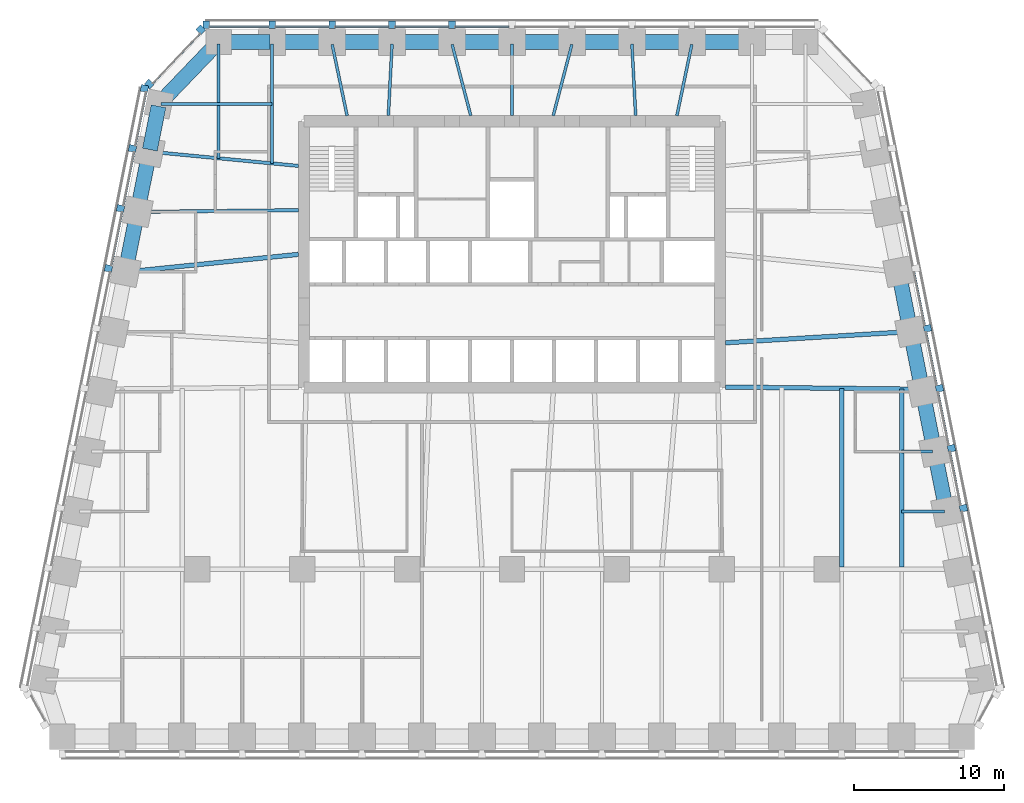
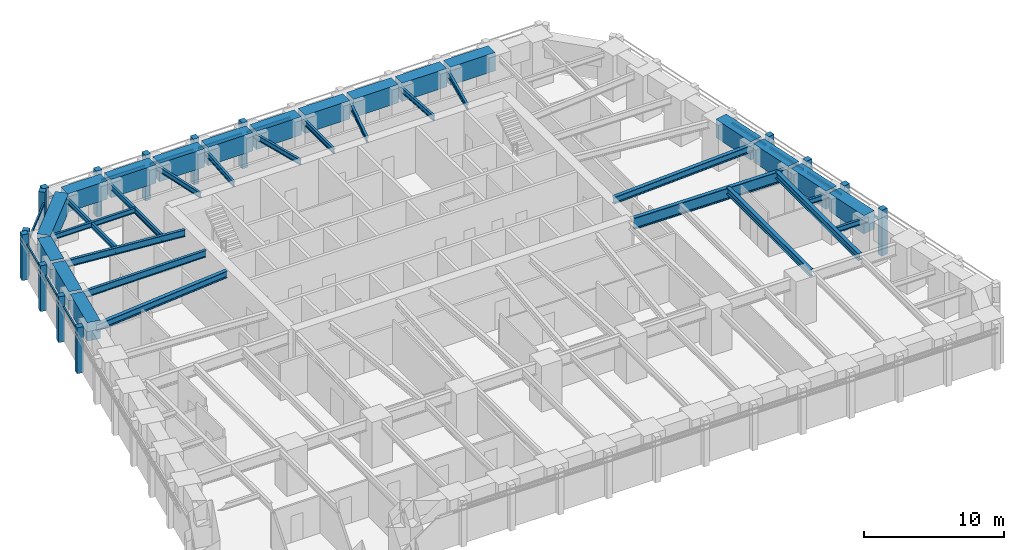
# One storey, part 3 of 10: 36 beams, 28 members, 4 elements without a shape of their own.
"""IFC4 building model written with IfcOpenShell, lengths in metres."""

from ifc_helpers import new_model, si_unit, direction, frame, origin, origin_2d, place, context, subcontext, project, spatial, rectangle, i_section, extrude, material, material_profile, profile_set, type_object, element, aggregate, save


model = new_model("IFC4")

# Units and contexts
model_context = context("Model", 3, precision=1e-05, world=origin(), true_north=direction((0.0, 1.0)))
body_context = subcontext(model_context, "Body", "Model", "MODEL_VIEW")
ifc_project = project(units=[si_unit("LENGTHUNIT", "METRE"), si_unit("AREAUNIT", "SQUARE_METRE"), si_unit("VOLUMEUNIT", "CUBIC_METRE"), si_unit("PLANEANGLEUNIT", "RADIAN"), si_unit("MASSUNIT", "GRAM", prefix="KILO")], contexts=[model_context])

# Site, building, storey
site_placement = place(None, origin())
site = spatial("IfcSite", under=ifc_project, at=site_placement, CompositionType="ELEMENT")
building_placement = place(site_placement, origin())
building = spatial("IfcBuilding", under=site, at=building_placement, Name="Isbrekke Arena Tower", CompositionType="ELEMENT")
storey_placement = place(building_placement, frame((0.0, 0.0, 107.0)))
storey = spatial("IfcBuildingStorey", under=building, at=storey_placement, Name="L23", CompositionType="ELEMENT", Elevation=107.0)

# Beams
ifc_material_1 = material(Name="Steel S355", Category="steel")
ifc_material_profile_1 = material_profile(ifc_material_1, i_section(OverallWidth=0.219970703125, OverallDepth=0.60009765625, WebThickness=0.011962890625, FlangeThickness=0.01904296875, FilletRadius=0.02392578125, at=origin_2d()), Name="IPE 600")
ifc_profile_set_1 = profile_set([ifc_material_profile_1], Name="Steel S355")
beam_type_1 = type_object("IfcBeamType", Name="B1 IPE 600", PredefinedType="BEAM", material=ifc_profile_set_1)
beam_1_placement = place(storey_placement, frame((-24.030517578125, 21.837158203125, 3.550048828125), z_axis=(0.995439798606, -0.095391862082, 0.0), x_axis=(0.095391862082, 0.995439798606, 0.0)))
element("IfcBeam", 1, at=beam_1_placement, inside=storey, type_object=beam_type_1, Name="B1 beam E-W02 L23", PredefinedType="BEAM", context=body_context, shape_type="SweptSolid", body=[
    extrude(i_section(OverallWidth=0.219970703125, OverallDepth=0.60009765625, WebThickness=0.011962890625, FlangeThickness=0.01904296875, FilletRadius=0.02392578125, at=origin_2d()), origin(), (0.0, 0.0, 1.0), 9.825439453125),
])
beam_2_placement = place(storey_placement, frame((-24.83984375, 17.838134765625, 3.550048828125), z_axis=(0.999944260169, 0.010558245831, 0.0), x_axis=(-0.010558245831, 0.999944260169, 0.0)))
element("IfcBeam", 2, at=beam_2_placement, inside=storey, type_object=beam_type_1, Name="B1 beam E-W03 L23", PredefinedType="BEAM", context=body_context, shape_type="SweptSolid", body=[
    extrude(i_section(OverallWidth=0.219970703125, OverallDepth=0.60009765625, WebThickness=0.011962890625, FlangeThickness=0.01904296875, FilletRadius=0.02392578125, at=origin_2d()), origin(), (0.0, 0.0, 1.0), 10.59033203125),
])
ifc_material_2 = material(Name="Steel S355", Category="steel")
ifc_material_profile_2 = material_profile(ifc_material_2, i_section(OverallWidth=0.18994140625, OverallDepth=0.449951171875, WebThickness=0.009521484375, FlangeThickness=0.0146484375, FilletRadius=0.02099609375, at=origin_2d()), Name="IPE 450")
ifc_profile_set_2 = profile_set([ifc_material_profile_2], Name="Steel S355")
beam_type_2 = type_object("IfcBeamType", Name="B2 IPE 450", PredefinedType="BEAM", material=ifc_profile_set_2)
beam_3_placement = place(storey_placement, frame((28.841064453125, -2.161865234375, 3.625), z_axis=(-1.0, 0.0, 0.0), x_axis=(0.0, -1.0, 0.0)))
element("IfcBeam", 3, at=beam_3_placement, inside=storey, type_object=beam_type_2, Name="B2 beam E-E04 L23", PredefinedType="BEAM", context=body_context, shape_type="SweptSolid", body=[
    extrude(i_section(OverallWidth=0.18994140625, OverallDepth=0.449951171875, WebThickness=0.009521484375, FlangeThickness=0.0146484375, FilletRadius=0.02099609375, at=origin_2d()), origin(), (0.0, 0.0, 1.0), 2.841064453125),
])
beam_4_placement = place(storey_placement, frame((28.041015625, 1.838134765625, 3.625), z_axis=(-1.0, 0.0, 0.0), x_axis=(0.0, -1.0, 0.0)))
element("IfcBeam", 4, at=beam_4_placement, inside=storey, type_object=beam_type_2, Name="B2 beam E-E05 L23", PredefinedType="BEAM", context=body_context, shape_type="SweptSolid", body=[
    extrude(i_section(OverallWidth=0.18994140625, OverallDepth=0.449951171875, WebThickness=0.009521484375, FlangeThickness=0.0146484375, FilletRadius=0.02099609375, at=origin_2d()), origin(), (0.0, 0.0, 1.0), 2.041015625),
])
beam_5_placement = place(storey_placement, frame((-23.40283203125, 25.029296875, 3.625), z_axis=(1.0, 0.0, 0.0), x_axis=(0.0, 1.0, 0.0)))
element("IfcBeam", 5, at=beam_5_placement, inside=storey, type_object=beam_type_2, Name="B2 beam E-W01 L23", PredefinedType="BEAM", context=body_context, shape_type="SweptSolid", body=[
    extrude(i_section(OverallWidth=0.18994140625, OverallDepth=0.449951171875, WebThickness=0.009521484375, FlangeThickness=0.0146484375, FilletRadius=0.02099609375, at=origin_2d()), origin(), (0.0, 0.0, 1.0), 7.40283203125),
])
ifc_material_3 = material(Name="Steel S355", Category="steel")
ifc_material_profile_3 = material_profile(ifc_material_3, i_section(OverallWidth=0.18994140625, OverallDepth=0.449951171875, WebThickness=0.009521484375, FlangeThickness=0.0146484375, FilletRadius=0.02099609375, at=origin_2d()), Name="IPE 450")
ifc_profile_set_3 = profile_set([ifc_material_profile_3], Name="Steel S355")
beam_type_3 = type_object("IfcBeamType", Name="B3 IPE 450", PredefinedType="BEAM", material=ifc_profile_set_3)
beam_6_placement = place(storey_placement, frame((-16.0, 29.02490234375, 3.625), z_axis=(0.0, -1.0, 0.0), x_axis=(1.0, 0.0, 0.0)))
element("IfcBeam", 6, at=beam_6_placement, inside=storey, type_object=beam_type_3, Name="B3 beam N-N10 L23", PredefinedType="BEAM", context=body_context, shape_type="SweptSolid", body=[
    extrude(i_section(OverallWidth=0.18994140625, OverallDepth=0.449951171875, WebThickness=0.009521484375, FlangeThickness=0.0146484375, FilletRadius=0.02099609375, at=origin_2d()), origin(), (0.0, 0.0, 1.0), 7.957275390625),
])
beam_7_placement = place(storey_placement, frame((-19.574951171875, 29.02490234375, 3.625), z_axis=(0.0, -1.0, 0.0), x_axis=(1.0, 0.0, 0.0)))
element("IfcBeam", 7, at=beam_7_placement, inside=storey, type_object=beam_type_3, Name="B3 beam N-N11 L23", PredefinedType="BEAM", context=body_context, shape_type="SweptSolid", body=[
    extrude(i_section(OverallWidth=0.18994140625, OverallDepth=0.449951171875, WebThickness=0.009521484375, FlangeThickness=0.0146484375, FilletRadius=0.02099609375, at=origin_2d()), origin(), (0.0, 0.0, 1.0), 7.61474609375),
])
beam_8_placement = place(storey_placement, frame((11.99609375, 29.005859375, 3.625), z_axis=(-0.20499748459, -0.978762499952, 0.0), x_axis=(0.978762499952, -0.20499748459, 0.0)))
element("IfcBeam", 8, at=beam_8_placement, inside=storey, type_object=beam_type_3, Name="B3 beam N-N03 L23", PredefinedType="BEAM", context=body_context, shape_type="SweptSolid", body=[
    extrude(i_section(OverallWidth=0.18994140625, OverallDepth=0.449951171875, WebThickness=0.009521484375, FlangeThickness=0.0146484375, FilletRadius=0.02099609375, at=origin_2d()), origin(), (0.0, 0.0, 1.0), 4.859130859375),
])
beam_9_placement = place(storey_placement, frame((8.000244140625, 29.02001953125, 3.625), z_axis=(0.052287879538, -0.998632053187, 0.0), x_axis=(0.998632053187, 0.052287879538, 0.0)))
element("IfcBeam", 9, at=beam_9_placement, inside=storey, type_object=beam_type_3, Name="B3 beam N-N04 L23", PredefinedType="BEAM", context=body_context, shape_type="SweptSolid", body=[
    extrude(i_section(OverallWidth=0.18994140625, OverallDepth=0.449951171875, WebThickness=0.009521484375, FlangeThickness=0.0146484375, FilletRadius=0.02099609375, at=origin_2d()), origin(), (0.0, 0.0, 1.0), 4.776611328125),
])
beam_10_placement = place(storey_placement, frame((3.993896484375, 29.001708984375, 3.625), z_axis=(-0.253245319824, -0.967402092197, 0.0), x_axis=(0.967402092197, -0.253245319824, 0.0)))
element("IfcBeam", 10, at=beam_10_placement, inside=storey, type_object=beam_type_3, Name="B3 beam N-N05 L23", PredefinedType="BEAM", context=body_context, shape_type="SweptSolid", body=[
    extrude(i_section(OverallWidth=0.18994140625, OverallDepth=0.449951171875, WebThickness=0.009521484375, FlangeThickness=0.0146484375, FilletRadius=0.02099609375, at=origin_2d()), origin(), (0.0, 0.0, 1.0), 4.911865234375),
])
beam_11_placement = place(storey_placement, frame((0.0, 29.02490234375, 3.625), z_axis=(0.0, -1.0, 0.0), x_axis=(1.0, 0.0, 0.0)))
element("IfcBeam", 11, at=beam_11_placement, inside=storey, type_object=beam_type_3, Name="B3 beam N-N06 L23", PredefinedType="BEAM", context=body_context, shape_type="SweptSolid", body=[
    extrude(i_section(OverallWidth=0.18994140625, OverallDepth=0.449951171875, WebThickness=0.009521484375, FlangeThickness=0.0146484375, FilletRadius=0.02099609375, at=origin_2d()), origin(), (0.0, 0.0, 1.0), 4.77490234375),
])
beam_12_placement = place(storey_placement, frame((-3.993896484375, 29.001708984375, 3.625), z_axis=(0.253245319824, -0.967402092197, 0.0), x_axis=(0.967402092197, 0.253245319824, 0.0)))
element("IfcBeam", 12, at=beam_12_placement, inside=storey, type_object=beam_type_3, Name="B3 beam N-N07 L23", PredefinedType="BEAM", context=body_context, shape_type="SweptSolid", body=[
    extrude(i_section(OverallWidth=0.18994140625, OverallDepth=0.449951171875, WebThickness=0.009521484375, FlangeThickness=0.0146484375, FilletRadius=0.02099609375, at=origin_2d()), origin(), (0.0, 0.0, 1.0), 4.911865234375),
])
beam_13_placement = place(storey_placement, frame((-8.000244140625, 29.02001953125, 3.625), z_axis=(-0.052287879538, -0.998632053187, 0.0), x_axis=(0.998632053187, -0.052287879538, 0.0)))
element("IfcBeam", 13, at=beam_13_placement, inside=storey, type_object=beam_type_3, Name="B3 beam N-N08 L23", PredefinedType="BEAM", context=body_context, shape_type="SweptSolid", body=[
    extrude(i_section(OverallWidth=0.18994140625, OverallDepth=0.449951171875, WebThickness=0.009521484375, FlangeThickness=0.0146484375, FilletRadius=0.02099609375, at=origin_2d()), origin(), (0.0, 0.0, 1.0), 4.776611328125),
])
beam_14_placement = place(storey_placement, frame((-11.99609375, 29.005859375, 3.625), z_axis=(0.20499748459, -0.978762499952, 0.0), x_axis=(0.978762499952, 0.20499748459, 0.0)))
element("IfcBeam", 14, at=beam_14_placement, inside=storey, type_object=beam_type_3, Name="B3 beam N-N09 L23", PredefinedType="BEAM", context=body_context, shape_type="SweptSolid", body=[
    extrude(i_section(OverallWidth=0.18994140625, OverallDepth=0.449951171875, WebThickness=0.009521484375, FlangeThickness=0.0146484375, FilletRadius=0.02099609375, at=origin_2d()), origin(), (0.0, 0.0, 1.0), 4.859130859375),
])
ifc_material_4 = material(Name="Steel S355", Category="steel")
ifc_material_profile_4 = material_profile(ifc_material_4, i_section(OverallWidth=0.300048828125, OverallDepth=0.60009765625, WebThickness=0.015380859375, FlangeThickness=0.030029296875, FilletRadius=0.027099609375, at=origin_2d()), Name="HEB 600")
ifc_profile_set_4 = profile_set([ifc_material_profile_4], Name="Steel S355")
beam_type_4 = type_object("IfcBeamType", Name="B7 HEB 600", PredefinedType="BEAM", material=ifc_profile_set_4)
beam_15_placement = place(storey_placement, frame((22.0, -5.84912109375, 3.550048828125), z_axis=(0.0, 1.0, 0.0), x_axis=(-1.0, 0.0, 0.0)))
element("IfcBeam", 15, at=beam_15_placement, inside=storey, type_object=beam_type_4, Name="B7 beam C-M13 L23", PredefinedType="BEAM", context=body_context, shape_type="SweptSolid", body=[
    extrude(i_section(OverallWidth=0.300048828125, OverallDepth=0.60009765625, WebThickness=0.015380859375, FlangeThickness=0.030029296875, FilletRadius=0.027099609375, at=origin_2d()), origin(), (0.0, 0.0, 1.0), 11.91064453125),
])
beam_16_placement = place(storey_placement, frame((26.0, -5.84912109375, 3.550048828125), z_axis=(0.0, 1.0, 0.0), x_axis=(-1.0, 0.0, 0.0)))
element("IfcBeam", 16, at=beam_16_placement, inside=storey, type_object=beam_type_4, Name="B7 beam C-M14 L23", PredefinedType="BEAM", context=body_context, shape_type="SweptSolid", body=[
    extrude(i_section(OverallWidth=0.300048828125, OverallDepth=0.60009765625, WebThickness=0.015380859375, FlangeThickness=0.030029296875, FilletRadius=0.027099609375, at=origin_2d()), origin(), (0.0, 0.0, 1.0), 11.864990234375),
])
beam_17_placement = place(storey_placement, frame((26.431884765625, 9.837646484375, 3.550048828125), z_axis=(-0.998172191876, -0.060434057993, 0.0), x_axis=(0.060434057993, -0.998172191876, 0.0)))
element("IfcBeam", 17, at=beam_17_placement, inside=storey, type_object=beam_type_4, Name="B7 beam E-E07 L23", PredefinedType="BEAM", context=body_context, shape_type="SweptSolid", body=[
    extrude(i_section(OverallWidth=0.300048828125, OverallDepth=0.60009765625, WebThickness=0.015380859375, FlangeThickness=0.030029296875, FilletRadius=0.027099609375, at=origin_2d()), origin(), (0.0, 0.0, 1.0), 12.2041015625),
])
beam_18_placement = place(storey_placement, frame((-25.6259765625, 13.83984375, 3.550048828125), z_axis=(0.994839949319, 0.10145676537, 0.0), x_axis=(-0.10145676537, 0.994839949319, 0.0)))
element("IfcBeam", 18, at=beam_18_placement, inside=storey, type_object=beam_type_4, Name="B7 beam E-W04 L23", PredefinedType="BEAM", context=body_context, shape_type="SweptSolid", body=[
    extrude(i_section(OverallWidth=0.300048828125, OverallDepth=0.60009765625, WebThickness=0.015380859375, FlangeThickness=0.030029296875, FilletRadius=0.027099609375, at=origin_2d()), origin(), (0.0, 0.0, 1.0), 11.43505859375),
])

# Curtain wall, members
ifc_material_5 = material(Name="Glazed aluminium curtain wall", Category="aluminium")
curtain_wall_type = type_object("IfcCurtainWallType", Name="CWM TOWER CURTAIN WALL MID ZONE", PredefinedType="USERDEFINED", material=ifc_material_5)
curtain_wall_1_placement = place(storey_placement, origin())
curtain_wall_1 = element("IfcCurtainWall", 19, at=curtain_wall_1_placement, inside=storey, type_object=curtain_wall_type, Name="CWM curtain wall L23-E", ObjectType="TOWER CURTAIN WALL MID ZONE", PredefinedType="USERDEFINED")
ifc_material_6 = material(Name="Aluminium mullion, pale brick slip cladding", Category="masonry")
ifc_material_profile_5 = material_profile(ifc_material_6, rectangle(XDim=0.449951171875, YDim=0.5, at=origin_2d()), Name="PIER 450X500")
ifc_profile_set_5 = profile_set([ifc_material_profile_5], Name="Aluminium mullion, pale brick slip cladding")
member_type_1 = type_object("IfcMemberType", Name="CWM-M PIER MULLION 450 x 500", PredefinedType="MULLION", material=ifc_profile_set_5)
member_1_placement = place(storey_placement, frame((30.11865234375, -1.936279296875, 0.0), z_axis=(0.0, 0.0, 1.0), x_axis=(-0.196116135138, 0.980580675691, 0.0)))
member_1 = element("IfcMember", 20, at=member_1_placement, type_object=member_type_1, Name="CWM-M mullion 4", PredefinedType="MULLION", context=body_context, shape_type="SweptSolid", body=[
    extrude(rectangle(XDim=0.449951171875, YDim=0.5, at=origin_2d()), origin(), (0.0, 0.0, 1.0), 4.0),
])
member_2_placement = place(storey_placement, frame((29.318603515625, 2.063720703125, 0.0), z_axis=(0.0, 0.0, 1.0), x_axis=(-0.196116135138, 0.980580675691, 0.0)))
member_2 = element("IfcMember", 21, at=member_2_placement, type_object=member_type_1, Name="CWM-M mullion 5", PredefinedType="MULLION", context=body_context, shape_type="SweptSolid", body=[
    extrude(rectangle(XDim=0.449951171875, YDim=0.5, at=origin_2d()), origin(), (0.0, 0.0, 1.0), 4.0),
])
member_3_placement = place(storey_placement, frame((28.518798828125, 6.063720703125, 0.0), z_axis=(0.0, 0.0, 1.0), x_axis=(-0.196116135138, 0.980580675691, 0.0)))
member_3 = element("IfcMember", 22, at=member_3_placement, type_object=member_type_1, Name="CWM-M mullion 6", PredefinedType="MULLION", context=body_context, shape_type="SweptSolid", body=[
    extrude(rectangle(XDim=0.449951171875, YDim=0.5, at=origin_2d()), origin(), (0.0, 0.0, 1.0), 4.0),
])
member_4_placement = place(storey_placement, frame((27.71875, 10.063720703125, 0.0), z_axis=(0.0, 0.0, 1.0), x_axis=(-0.196116135138, 0.980580675691, 0.0)))
member_4 = element("IfcMember", 23, at=member_4_placement, type_object=member_type_1, Name="CWM-M mullion 7", PredefinedType="MULLION", context=body_context, shape_type="SweptSolid", body=[
    extrude(rectangle(XDim=0.449951171875, YDim=0.5, at=origin_2d()), origin(), (0.0, 0.0, 1.0), 4.0),
])

curtain_wall_2_placement = place(storey_placement, origin())
curtain_wall_2 = element("IfcCurtainWall", 24, at=curtain_wall_2_placement, inside=storey, type_object=curtain_wall_type, Name="CWM curtain wall L23-N", ObjectType="TOWER CURTAIN WALL MID ZONE", PredefinedType="USERDEFINED")
member_5_placement = place(storey_placement, frame((-4.0, 30.324951171875, 0.0), z_axis=(0.0, 0.0, 1.0), x_axis=(-1.0, 0.0, 0.0)))
member_5 = element("IfcMember", 25, at=member_5_placement, type_object=member_type_1, Name="CWM-M mullion 7", PredefinedType="MULLION", context=body_context, shape_type="SweptSolid", body=[
    extrude(rectangle(XDim=0.449951171875, YDim=0.5, at=origin_2d()), origin(), (0.0, 0.0, 1.0), 4.0),
])
member_6_placement = place(storey_placement, frame((-8.0, 30.324951171875, 0.0), z_axis=(0.0, 0.0, 1.0), x_axis=(-1.0, 0.0, 0.0)))
member_6 = element("IfcMember", 26, at=member_6_placement, type_object=member_type_1, Name="CWM-M mullion 8", PredefinedType="MULLION", context=body_context, shape_type="SweptSolid", body=[
    extrude(rectangle(XDim=0.449951171875, YDim=0.5, at=origin_2d()), origin(), (0.0, 0.0, 1.0), 4.0),
])
member_7_placement = place(storey_placement, frame((-12.0, 30.324951171875, 0.0), z_axis=(0.0, 0.0, 1.0), x_axis=(-1.0, 0.0, 0.0)))
member_7 = element("IfcMember", 27, at=member_7_placement, type_object=member_type_1, Name="CWM-M mullion 9", PredefinedType="MULLION", context=body_context, shape_type="SweptSolid", body=[
    extrude(rectangle(XDim=0.449951171875, YDim=0.5, at=origin_2d()), origin(), (0.0, 0.0, 1.0), 4.0),
])
member_8_placement = place(storey_placement, frame((-16.0, 30.324951171875, 0.0), z_axis=(0.0, 0.0, 1.0), x_axis=(-1.0, 0.0, 0.0)))
member_8 = element("IfcMember", 28, at=member_8_placement, type_object=member_type_1, Name="CWM-M mullion 10", PredefinedType="MULLION", context=body_context, shape_type="SweptSolid", body=[
    extrude(rectangle(XDim=0.449951171875, YDim=0.5, at=origin_2d()), origin(), (0.0, 0.0, 1.0), 4.0),
])
member_9_placement = place(storey_placement, frame((-20.39990234375, 30.324951171875, 0.0), z_axis=(0.0, 0.0, 1.0), x_axis=(-1.0, 0.0, 0.0)))
member_9 = element("IfcMember", 29, at=member_9_placement, type_object=member_type_1, Name="CWM-M mullion 11", PredefinedType="MULLION", context=body_context, shape_type="SweptSolid", body=[
    extrude(rectangle(XDim=0.449951171875, YDim=0.5, at=origin_2d()), origin(), (0.0, 0.0, 1.0), 4.0),
])

curtain_wall_3_placement = place(storey_placement, origin())
curtain_wall_3 = element("IfcCurtainWall", 30, at=curtain_wall_3_placement, inside=storey, type_object=curtain_wall_type, Name="CWM curtain wall L23-NW", ObjectType="TOWER CURTAIN WALL MID ZONE", PredefinedType="USERDEFINED")
member_10_placement = place(storey_placement, frame((-20.759033203125, 29.985107421875, 0.0), z_axis=(0.0, 0.0, 1.0), x_axis=(-0.68874946192, -0.72499943359, 0.0)))
member_10 = element("IfcMember", 31, at=member_10_placement, type_object=member_type_1, Name="CWM-M mullion 1", PredefinedType="MULLION", context=body_context, shape_type="SweptSolid", body=[
    extrude(rectangle(XDim=0.449951171875, YDim=0.5, at=origin_2d()), origin(), (0.0, 0.0, 1.0), 4.0),
])
member_11_placement = place(storey_placement, frame((-24.207763671875, 26.35498046875, 0.0), z_axis=(0.0, 0.0, 1.0), x_axis=(-0.68874946192, -0.72499943359, 0.0)))
member_11 = element("IfcMember", 32, at=member_11_placement, type_object=member_type_1, Name="CWM-M mullion 2", PredefinedType="MULLION", context=body_context, shape_type="SweptSolid", body=[
    extrude(rectangle(XDim=0.449951171875, YDim=0.5, at=origin_2d()), origin(), (0.0, 0.0, 1.0), 4.0),
])

curtain_wall_4_placement = place(storey_placement, origin())
curtain_wall_4 = element("IfcCurtainWall", 33, at=curtain_wall_4_placement, inside=storey, type_object=curtain_wall_type, Name="CWM curtain wall L23-W", ObjectType="TOWER CURTAIN WALL MID ZONE", PredefinedType="USERDEFINED")
member_12_placement = place(storey_placement, frame((-24.518798828125, 26.063720703125, 0.0), z_axis=(0.0, 0.0, 1.0), x_axis=(-0.196116135138, -0.980580675691, 0.0)))
member_12 = element("IfcMember", 34, at=member_12_placement, type_object=member_type_1, Name="CWM-M mullion 1", PredefinedType="MULLION", context=body_context, shape_type="SweptSolid", body=[
    extrude(rectangle(XDim=0.449951171875, YDim=0.5, at=origin_2d()), origin(), (0.0, 0.0, 1.0), 4.0),
])
member_13_placement = place(storey_placement, frame((-25.318603515625, 22.063720703125, 0.0), z_axis=(0.0, 0.0, 1.0), x_axis=(-0.196116135138, -0.980580675691, 0.0)))
member_13 = element("IfcMember", 35, at=member_13_placement, type_object=member_type_1, Name="CWM-M mullion 2", PredefinedType="MULLION", context=body_context, shape_type="SweptSolid", body=[
    extrude(rectangle(XDim=0.449951171875, YDim=0.5, at=origin_2d()), origin(), (0.0, 0.0, 1.0), 4.0),
])
member_14_placement = place(storey_placement, frame((-26.11865234375, 18.063720703125, 0.0), z_axis=(0.0, 0.0, 1.0), x_axis=(-0.196116135138, -0.980580675691, 0.0)))
member_14 = element("IfcMember", 36, at=member_14_placement, type_object=member_type_1, Name="CWM-M mullion 3", PredefinedType="MULLION", context=body_context, shape_type="SweptSolid", body=[
    extrude(rectangle(XDim=0.449951171875, YDim=0.5, at=origin_2d()), origin(), (0.0, 0.0, 1.0), 4.0),
])
member_15_placement = place(storey_placement, frame((-26.918701171875, 14.063720703125, 0.0), z_axis=(0.0, 0.0, 1.0), x_axis=(-0.196116135138, -0.980580675691, 0.0)))
member_15 = element("IfcMember", 37, at=member_15_placement, type_object=member_type_1, Name="CWM-M mullion 4", PredefinedType="MULLION", context=body_context, shape_type="SweptSolid", body=[
    extrude(rectangle(XDim=0.449951171875, YDim=0.5, at=origin_2d()), origin(), (0.0, 0.0, 1.0), 4.0),
])

# Member
ifc_material_7 = material(Name="Aluminium transom", Category="aluminium")
ifc_material_profile_6 = material_profile(ifc_material_7, rectangle(XDim=0.1201171875, YDim=0.199951171875, at=origin_2d()), Name="TRANSOM 120X200")
ifc_profile_set_6 = profile_set([ifc_material_profile_6], Name="Aluminium transom")
member_type_2 = type_object("IfcMemberType", Name="CWM-T TRANSOM 120 x 200", PredefinedType="USERDEFINED", material=ifc_profile_set_6)
member_16_placement = place(storey_placement, frame((29.927490234375, -1.7451171875, 3.0), z_axis=(-0.196090262229, 0.980585849918, 0.0), x_axis=(-0.980585849918, -0.196090262229, 0.0)))
member_16 = element("IfcMember", 38, at=member_16_placement, type_object=member_type_2, Name="CWM-T transom 4", ObjectType="TRANSOM", PredefinedType="USERDEFINED", context=body_context, shape_type="SweptSolid", body=[
    extrude(rectangle(XDim=0.1201171875, YDim=0.199951171875, at=origin_2d()), origin(), (0.0, 0.0, 1.0), 3.62939453125),
])

member_17_placement = place(storey_placement, frame((29.12744140625, 2.2548828125, 3.0), z_axis=(-0.196090262229, 0.980585849918, 0.0), x_axis=(-0.980585849918, -0.196090262229, 0.0)))
member_17 = element("IfcMember", 39, at=member_17_placement, type_object=member_type_2, Name="CWM-T transom 5", ObjectType="TRANSOM", PredefinedType="USERDEFINED", context=body_context, shape_type="SweptSolid", body=[
    extrude(rectangle(XDim=0.1201171875, YDim=0.199951171875, at=origin_2d()), origin(), (0.0, 0.0, 1.0), 3.62939453125),
])

member_18_placement = place(storey_placement, frame((28.327392578125, 6.2548828125, 3.0), z_axis=(-0.196090262229, 0.980585849918, 0.0), x_axis=(-0.980585849918, -0.196090262229, 0.0)))
member_18 = element("IfcMember", 40, at=member_18_placement, type_object=member_type_2, Name="CWM-T transom 6", ObjectType="TRANSOM", PredefinedType="USERDEFINED", context=body_context, shape_type="SweptSolid", body=[
    extrude(rectangle(XDim=0.1201171875, YDim=0.199951171875, at=origin_2d()), origin(), (0.0, 0.0, 1.0), 3.62939453125),
])

member_19_placement = place(storey_placement, frame((27.527587890625, 10.2548828125, 3.0), z_axis=(-0.196154943734, 0.980572913173, 0.0), x_axis=(-0.980572913173, -0.196154943734, 0.0)))
member_19 = element("IfcMember", 41, at=member_19_placement, type_object=member_type_2, Name="CWM-T transom 7", ObjectType="TRANSOM", PredefinedType="USERDEFINED", context=body_context, shape_type="SweptSolid", body=[
    extrude(rectangle(XDim=0.1201171875, YDim=0.199951171875, at=origin_2d()), origin(), (0.0, 0.0, 1.0), 3.62939453125),
])

aggregate(curtain_wall_1, [member_1, member_2, member_3, member_4, member_16, member_17, member_18, member_19])

member_20_placement = place(storey_placement, frame((-0.22509765625, 30.175048828125, 3.0), z_axis=(-1.0, 0.0, 0.0), x_axis=(0.0, -1.0, 0.0)))
member_20 = element("IfcMember", 42, at=member_20_placement, type_object=member_type_2, Name="CWM-T transom 6", ObjectType="TRANSOM", PredefinedType="USERDEFINED", context=body_context, shape_type="SweptSolid", body=[
    extrude(rectangle(XDim=0.1201171875, YDim=0.199951171875, at=origin_2d()), origin(), (0.0, 0.0, 1.0), 3.5498046875),
])

member_21_placement = place(storey_placement, frame((-4.22509765625, 30.175048828125, 3.0), z_axis=(-1.0, 0.0, 0.0), x_axis=(0.0, -1.0, 0.0)))
member_21 = element("IfcMember", 43, at=member_21_placement, type_object=member_type_2, Name="CWM-T transom 7", ObjectType="TRANSOM", PredefinedType="USERDEFINED", context=body_context, shape_type="SweptSolid", body=[
    extrude(rectangle(XDim=0.1201171875, YDim=0.199951171875, at=origin_2d()), origin(), (0.0, 0.0, 1.0), 3.5498046875),
])

member_22_placement = place(storey_placement, frame((-8.22509765625, 30.175048828125, 3.0), z_axis=(-1.0, 0.0, 0.0), x_axis=(0.0, -1.0, 0.0)))
member_22 = element("IfcMember", 44, at=member_22_placement, type_object=member_type_2, Name="CWM-T transom 8", ObjectType="TRANSOM", PredefinedType="USERDEFINED", context=body_context, shape_type="SweptSolid", body=[
    extrude(rectangle(XDim=0.1201171875, YDim=0.199951171875, at=origin_2d()), origin(), (0.0, 0.0, 1.0), 3.5498046875),
])

member_23_placement = place(storey_placement, frame((-12.22509765625, 30.175048828125, 3.0), z_axis=(-1.0, 0.0, 0.0), x_axis=(0.0, -1.0, 0.0)))
member_23 = element("IfcMember", 45, at=member_23_placement, type_object=member_type_2, Name="CWM-T transom 9", ObjectType="TRANSOM", PredefinedType="USERDEFINED", context=body_context, shape_type="SweptSolid", body=[
    extrude(rectangle(XDim=0.1201171875, YDim=0.199951171875, at=origin_2d()), origin(), (0.0, 0.0, 1.0), 3.5498046875),
])

member_24_placement = place(storey_placement, frame((-16.22509765625, 30.175048828125, 3.0), z_axis=(-1.0, 0.0, 0.0), x_axis=(0.0, -1.0, 0.0)))
member_24 = element("IfcMember", 46, at=member_24_placement, type_object=member_type_2, Name="CWM-T transom 10", ObjectType="TRANSOM", PredefinedType="USERDEFINED", context=body_context, shape_type="SweptSolid", body=[
    extrude(rectangle(XDim=0.1201171875, YDim=0.199951171875, at=origin_2d()), origin(), (0.0, 0.0, 1.0), 3.949951171875),
])

aggregate(curtain_wall_2, [member_5, member_6, member_7, member_8, member_9, member_20, member_21, member_22, member_23, member_24])

member_25_placement = place(storey_placement, frame((-20.80517578125, 29.71875, 3.0), z_axis=(-0.688739606035, -0.725008796552, 0.0), x_axis=(0.725008796552, -0.688739606035, 0.0)))
member_25 = element("IfcMember", 47, at=member_25_placement, type_object=member_type_2, Name="CWM-T transom 1", ObjectType="TRANSOM", PredefinedType="USERDEFINED", context=body_context, shape_type="SweptSolid", body=[
    extrude(rectangle(XDim=0.1201171875, YDim=0.199951171875, at=origin_2d()), origin(), (0.0, 0.0, 1.0), 4.55712890625),
])

aggregate(curtain_wall_3, [member_10, member_11, member_25])

member_26_placement = place(storey_placement, frame((-24.415771484375, 25.813720703125, 3.0), z_axis=(-0.196090262229, -0.980585849918, 0.0), x_axis=(0.980585849918, -0.196090262229, 0.0)))
member_26 = element("IfcMember", 48, at=member_26_placement, type_object=member_type_2, Name="CWM-T transom 1", ObjectType="TRANSOM", PredefinedType="USERDEFINED", context=body_context, shape_type="SweptSolid", body=[
    extrude(rectangle(XDim=0.1201171875, YDim=0.199951171875, at=origin_2d()), origin(), (0.0, 0.0, 1.0), 3.62939453125),
])

member_27_placement = place(storey_placement, frame((-25.2158203125, 21.813720703125, 3.0), z_axis=(-0.196090262229, -0.980585849918, 0.0), x_axis=(0.980585849918, -0.196090262229, 0.0)))
member_27 = element("IfcMember", 49, at=member_27_placement, type_object=member_type_2, Name="CWM-T transom 2", ObjectType="TRANSOM", PredefinedType="USERDEFINED", context=body_context, shape_type="SweptSolid", body=[
    extrude(rectangle(XDim=0.1201171875, YDim=0.199951171875, at=origin_2d()), origin(), (0.0, 0.0, 1.0), 3.62939453125),
])

member_28_placement = place(storey_placement, frame((-26.015625, 17.813720703125, 3.0), z_axis=(-0.196154943734, -0.980572913173, 0.0), x_axis=(0.980572913173, -0.196154943734, 0.0)))
member_28 = element("IfcMember", 50, at=member_28_placement, type_object=member_type_2, Name="CWM-T transom 3", ObjectType="TRANSOM", PredefinedType="USERDEFINED", context=body_context, shape_type="SweptSolid", body=[
    extrude(rectangle(XDim=0.1201171875, YDim=0.199951171875, at=origin_2d()), origin(), (0.0, 0.0, 1.0), 3.62939453125),
])

aggregate(curtain_wall_4, [member_12, member_13, member_14, member_15, member_26, member_27, member_28])

# Beams
ifc_material_8 = material(Name="Steel S355", Category="steel")
ifc_material_profile_7 = material_profile(ifc_material_8, i_section(OverallWidth=0.302001953125, OverallDepth=1.008056640625, WebThickness=0.02099609375, FlangeThickness=0.0400390625, FilletRadius=0.030029296875, at=origin_2d()), Name="HEM 1000")
ifc_profile_set_7 = profile_set([ifc_material_profile_7], Name="Steel S355")
beam_type_5 = type_object("IfcBeamType", Name="G2 HEM 1000", PredefinedType="BEAM", material=ifc_profile_set_7)
beam_19_placement = place(storey_placement, frame((14.25, 6.14990234375, 3.345947265625), z_axis=(0.999934928157, -0.011407867963, 0.0), x_axis=(0.011407867963, 0.999934928157, 0.0)))
element("IfcBeam", 51, at=beam_19_placement, inside=storey, type_object=beam_type_5, Name="G2 beam G2-E L23", PredefinedType="BEAM", context=body_context, shape_type="SweptSolid", body=[
    extrude(i_section(OverallWidth=0.302001953125, OverallDepth=1.008056640625, WebThickness=0.02099609375, FlangeThickness=0.0400390625, FilletRadius=0.030029296875, at=origin_2d()), origin(), (0.0, 0.0, 1.0), 13.140380859375),
])
ifc_material_9 = material(Name="Concrete B80 (C80/95)", Category="concrete")
ifc_material_profile_8 = material_profile(ifc_material_9, rectangle(XDim=1.0, YDim=1.60009765625, at=origin_2d()), Name="RC 1000x1600")
ifc_profile_set_8 = profile_set([ifc_material_profile_8], Name="Concrete B80 (C80/95)")
beam_type_6 = type_object("IfcBeamType", Name="SB2 RC 1000 x 1600", PredefinedType="SPANDREL", material=ifc_profile_set_8)
for number, where, z_axis, x_axis, name in (
    (52, (28.961669921875, -2.0146484375, 3.199951171875), (-0.196128558387, 0.980578190959, 0.0), (-0.980578190959, -0.196128558387, 0.0), "SB2 spandrel E04-E05 L23"),
    (53, (28.16162109375, 1.9853515625, 3.199951171875), (-0.196128558387, 0.980578190959, 0.0), (-0.980578190959, -0.196128558387, 0.0), "SB2 spandrel E05-E06 L23"),
    (54, (27.361572265625, 5.9853515625, 3.199951171875), (-0.196128558387, 0.980578190959, 0.0), (-0.980578190959, -0.196128558387, 0.0), "SB2 spandrel E06-E07 L23"),
):
    element("IfcBeam", number, at=place(storey_placement, frame(where, z_axis=z_axis, x_axis=x_axis)), inside=storey, type_object=beam_type_6, Name=name, PredefinedType="SPANDREL", context=body_context, shape_type="SweptSolid", body=[
        extrude(rectangle(XDim=1.0, YDim=1.60009765625, at=origin_2d()), origin(), (0.0, 0.0, 1.0), 3.779296875),
    ])
beam_20_placement = place(storey_placement, frame((26.5615234375, 9.9853515625, 3.199951171875), z_axis=(-0.1960664412, 0.980590613169, 0.0), x_axis=(-0.980590613169, -0.1960664412, 0.0)))
element("IfcBeam", 55, at=beam_20_placement, inside=storey, type_object=beam_type_6, Name="SB2 spandrel E07-E08 L23", PredefinedType="SPANDREL", context=body_context, shape_type="SweptSolid", body=[
    extrude(rectangle(XDim=1.0, YDim=1.60009765625, at=origin_2d()), origin(), (0.0, 0.0, 1.0), 3.779052734375),
])
for number, where, z_axis, x_axis, name in (
    (56, (15.85009765625, 29.175048828125, 3.199951171875), (-1.0, 0.0, 0.0), (0.0, -1.0, 0.0), "SB2 spandrel N02-N03 L23"),
    (57, (11.85009765625, 29.175048828125, 3.199951171875), (-1.0, 0.0, 0.0), (0.0, -1.0, 0.0), "SB2 spandrel N03-N04 L23"),
    (58, (7.85009765625, 29.175048828125, 3.199951171875), (-1.0, 0.0, 0.0), (0.0, -1.0, 0.0), "SB2 spandrel N04-N05 L23"),
    (59, (3.85009765625, 29.175048828125, 3.199951171875), (-1.0, 0.0, 0.0), (0.0, -1.0, 0.0), "SB2 spandrel N05-N06 L23"),
    (60, (-0.14990234375, 29.175048828125, 3.199951171875), (-1.0, 0.0, 0.0), (0.0, -1.0, 0.0), "SB2 spandrel N06-N07 L23"),
    (61, (-4.14990234375, 29.175048828125, 3.199951171875), (-1.0, 0.0, 0.0), (0.0, -1.0, 0.0), "SB2 spandrel N07-N08 L23"),
    (62, (-8.14990234375, 29.175048828125, 3.199951171875), (-1.0, 0.0, 0.0), (0.0, -1.0, 0.0), "SB2 spandrel N08-N09 L23"),
    (63, (-12.14990234375, 29.175048828125, 3.199951171875), (-1.0, 0.0, 0.0), (0.0, -1.0, 0.0), "SB2 spandrel N09-N10 L23"),
):
    element("IfcBeam", number, at=place(storey_placement, frame(where, z_axis=z_axis, x_axis=x_axis)), inside=storey, type_object=beam_type_6, Name=name, PredefinedType="SPANDREL", context=body_context, shape_type="SweptSolid", body=[
        extrude(rectangle(XDim=1.0, YDim=1.60009765625, at=origin_2d()), origin(), (0.0, 0.0, 1.0), 3.7001953125),
    ])
beam_21_placement = place(storey_placement, frame((-16.14990234375, 29.175048828125, 3.199951171875), z_axis=(-1.0, 0.0, 0.0), x_axis=(0.0, -1.0, 0.0)))
element("IfcBeam", 64, at=beam_21_placement, inside=storey, type_object=beam_type_6, Name="SB2 spandrel N10-N11 L23", PredefinedType="SPANDREL", context=body_context, shape_type="SweptSolid", body=[
    extrude(rectangle(XDim=1.0, YDim=1.60009765625, at=origin_2d()), origin(), (0.0, 0.0, 1.0), 3.275146484375),
])
beam_22_placement = place(storey_placement, frame((-19.678955078125, 29.066650390625, 3.199951171875), z_axis=(-0.692339547635, -0.721571861134, 0.0), x_axis=(0.721571861134, -0.692339547635, 0.0)))
element("IfcBeam", 65, at=beam_22_placement, inside=storey, type_object=beam_type_6, Name="SB2 spandrel N11-W01 L23", PredefinedType="SPANDREL", context=body_context, shape_type="SweptSolid", body=[
    extrude(rectangle(XDim=1.0, YDim=1.60009765625, at=origin_2d()), origin(), (0.0, 0.0, 1.0), 5.4453125),
])
beam_23_placement = place(storey_placement, frame((-23.582275390625, 24.882080078125, 3.199951171875), z_axis=(-0.196116135138, -0.980580675691, 0.0), x_axis=(0.980580675691, -0.196116135138, 0.0)))
element("IfcBeam", 66, at=beam_23_placement, inside=storey, type_object=beam_type_6, Name="SB2 spandrel W01-W02 L23", PredefinedType="SPANDREL", context=body_context, shape_type="SweptSolid", body=[
    extrude(rectangle(XDim=1.0, YDim=1.60009765625, at=origin_2d()), origin(), (0.0, 0.0, 1.0), 2.9541015625),
])
for number, where, z_axis, x_axis, name in (
    (67, (-24.220458984375, 21.691162109375, 3.199951171875), (-0.196128558387, -0.980578190959, 0.0), (0.980578190959, -0.196128558387, 0.0), "SB2 spandrel W02-W03 L23"),
    (68, (-25.0205078125, 17.691162109375, 3.199951171875), (-0.196128558387, -0.980578190959, 0.0), (0.980578190959, -0.196128558387, 0.0), "SB2 spandrel W03-W04 L23"),
):
    element("IfcBeam", number, at=place(storey_placement, frame(where, z_axis=z_axis, x_axis=x_axis)), inside=storey, type_object=beam_type_6, Name=name, PredefinedType="SPANDREL", context=body_context, shape_type="SweptSolid", body=[
        extrude(rectangle(XDim=1.0, YDim=1.60009765625, at=origin_2d()), origin(), (0.0, 0.0, 1.0), 3.779296875),
    ])

save(model, "model.ifc")
